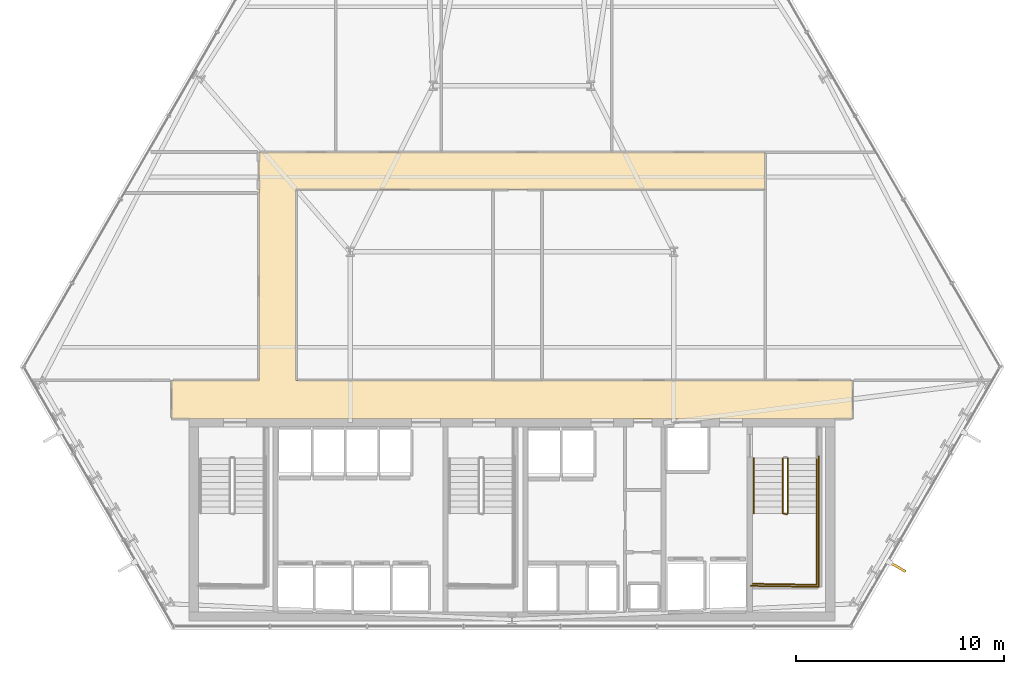
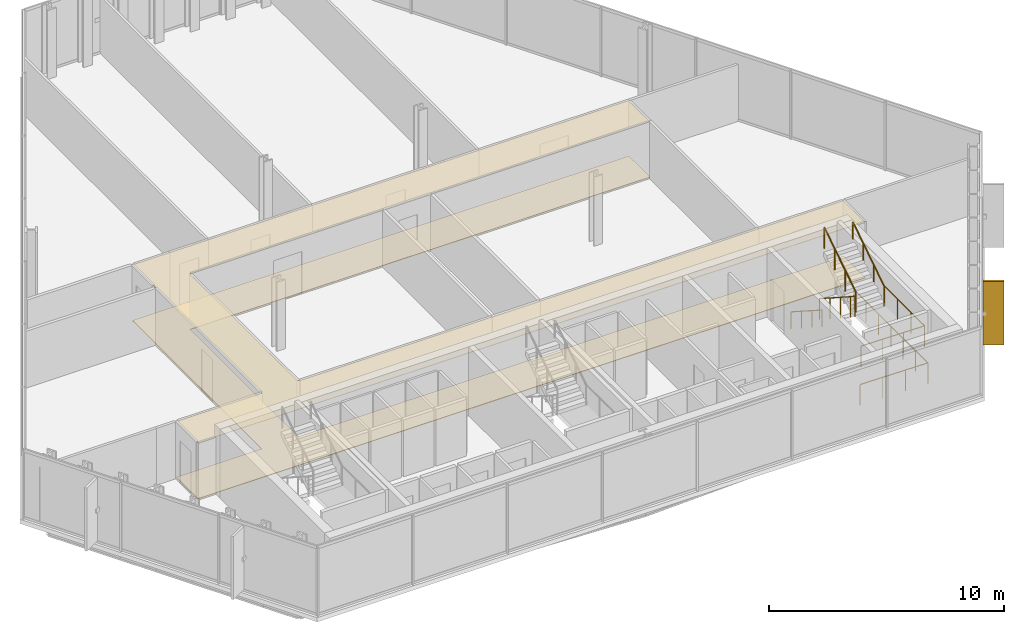
# One storey, part 31 of 33: 6 railings, 2 coverings, 1 shading device.
"""IFC4 building model written with IfcOpenShell, lengths in metres."""

from ifc_helpers import new_model, si_unit, direction, frame, origin, origin_2d, place, context, subcontext, project, spatial, polyline, rectangle, circle, outline, extrude, material, layer, layer_set, type_object, element, save


model = new_model("IFC4")

# Units and contexts
model_context = context("Model", 3, precision=1e-05, world=origin(), true_north=direction((0.0, 1.0)))
body_context = subcontext(model_context, "Body", "Model", "MODEL_VIEW")
ifc_project = project(units=[si_unit("LENGTHUNIT", "METRE"), si_unit("AREAUNIT", "SQUARE_METRE"), si_unit("VOLUMEUNIT", "CUBIC_METRE"), si_unit("PLANEANGLEUNIT", "RADIAN"), si_unit("MASSUNIT", "GRAM", prefix="KILO")], contexts=[model_context])

# Site, building, storey
site_placement = place(None, origin())
site = spatial("IfcSite", under=ifc_project, at=site_placement, CompositionType="ELEMENT")
building_placement = place(site_placement, origin())
building = spatial("IfcBuilding", under=site, at=building_placement, Name="Ndaravel Arena Tower", CompositionType="ELEMENT")
storey_placement = place(building_placement, frame((0.0, 0.0, 85.39990234375)))
storey = spatial("IfcBuildingStorey", under=building, at=storey_placement, Name="L19", CompositionType="ELEMENT", Elevation=85.39990234375)

# Coverings
ifc_material_1 = material(Name="Acoustic Ceiling Tile", Category="finish")
ifc_layer_1 = layer(ifc_material_1, 0.02490234375)
ifc_layer_set_1 = layer_set([ifc_layer_1], Name="Acoustic Ceiling Tile")
covering_type_1 = type_object("IfcCoveringType", Name="COV-CEIL-AC600", PredefinedType="CEILING", material=ifc_layer_set_1)
covering_1_placement = place(storey_placement, frame((0.0, 0.0, 2.920166015625)))
element("IfcCovering", 1, at=covering_1_placement, inside=storey, type_object=covering_type_1, Name="L19 Corridor Acoustic Ceiling", PredefinedType="CEILING", context=body_context, shape_type="SweptSolid", body=[
    extrude(outline(polyline([(58.39990234375, 17.0), (31.60009765625, 17.0), (31.60009765625, 26.199951171875), (54.199951171875, 26.199951171875), (54.199951171875, 28.0), (31.60009765625, 28.0), (29.800048828125, 28.0), (29.800048828125, 26.199951171875), (29.800048828125, 17.0), (25.60009765625, 17.0), (25.60009765625, 15.14990234375), (58.39990234375, 15.14990234375), (58.39990234375, 17.0)])), origin(), (0.0, 0.0, 1.0), 0.02490234375),
])
ifc_material_2 = material(Name="Terrazzo", Category="stone")
ifc_layer_2 = layer(ifc_material_2, 0.030029296875)
ifc_layer_set_2 = layer_set([ifc_layer_2], Name="Terrazzo")
covering_type_2 = type_object("IfcCoveringType", Name="COV-FLOOR-TERRAZZO", PredefinedType="FLOORING", material=ifc_layer_set_2)
covering_2_placement = place(storey_placement, origin())
element("IfcCovering", 2, at=covering_2_placement, inside=storey, type_object=covering_type_2, Name="L19 Corridor Terrazzo Flooring", PredefinedType="FLOORING", context=body_context, shape_type="SweptSolid", body=[
    extrude(outline(polyline([(58.39990234375, 17.0), (31.60009765625, 17.0), (31.60009765625, 26.199951171875), (54.199951171875, 26.199951171875), (54.199951171875, 28.0), (31.60009765625, 28.0), (29.800048828125, 28.0), (29.800048828125, 26.199951171875), (29.800048828125, 17.0), (25.60009765625, 17.0), (25.60009765625, 15.14990234375), (58.39990234375, 15.14990234375), (58.39990234375, 17.0)])), origin(), (0.0, 0.0, 1.0), 0.030029296875),
])

# Railings
ifc_material_3 = material(Name="Steel S355", Category="steel")
ifc_layer_3 = layer(ifc_material_3, 0.06005859375)
ifc_layer_set_3 = layer_set([ifc_layer_3], Name="Steel S355")
railing_type_1 = type_object("IfcRailingType", Name="RAIL-STAIR-GD1100", PredefinedType="GUARDRAIL", material=ifc_layer_set_3)
railing_1_placement = place(storey_placement, frame((55.050048828125, 13.25, 0.190185546875)))
element("IfcRailing", 3, at=railing_1_placement, inside=storey, type_object=railing_type_1, Name="L19 ST-3 stair guard 1", PredefinedType="GUARDRAIL", context=body_context, shape_type="SweptSolid", body=[
    extrude(circle(Radius=0.02392578125, at=origin_2d()), frame((0.0, 0.0, 1.076171875), z_axis=(0.0, -0.840723540582, 0.54146461409), x_axis=(1.0, 0.0, 0.0)), (0.0, 0.0, 1.0), 3.157958984375),
    extrude(circle(Radius=0.02392578125, at=origin_2d()), frame((0.0, -2.655029296875, 2.7861328125), z_axis=(0.966993988697, -0.254799187253, 0.0), x_axis=(0.254799187253, 0.966993988697, 0.0)), (0.0, 0.0, 1.0), 0.196533203125),
    extrude(circle(Radius=0.02099609375, at=origin_2d()), origin(), (0.0, 0.0, 1.0), 1.052001953125),
    extrude(circle(Radius=0.02099609375, at=origin_2d()), frame((0.0, -0.885009765625, 0.570068359375)), (0.0, 0.0, 1.0), 1.052001953125),
    extrude(circle(Radius=0.02099609375, at=origin_2d()), frame((0.0, -1.77001953125, 1.139892578125)), (0.0, 0.0, 1.0), 1.052001953125),
    extrude(circle(Radius=0.02099609375, at=origin_2d()), frame((0.0, -2.655029296875, 1.7099609375)), (0.0, 0.0, 1.0), 1.052001953125),
    extrude(circle(Radius=0.02099609375, at=origin_2d()), frame((0.18994140625, -2.705078125, 1.7099609375)), (0.0, 0.0, 1.0), 1.052001953125),
])
railing_2_placement = place(storey_placement, frame((56.68994140625, 10.594970703125, 1.900146484375)))
element("IfcRailing", 4, at=railing_2_placement, inside=storey, type_object=railing_type_1, Name="L19 ST-3 stair guard 2", PredefinedType="GUARDRAIL", context=body_context, shape_type="SweptSolid", body=[
    extrude(circle(Radius=0.02392578125, at=origin_2d()), frame((0.0, 0.0, 1.076171875), z_axis=(0.0, -1.0, 0.0), x_axis=(1.0, 0.0, 0.0)), (0.0, 0.0, 1.0), 3.445068359375),
    extrude(circle(Radius=0.02392578125, at=origin_2d()), frame((0.0, -3.445068359375, 1.076171875), z_axis=(-0.999868840623, 0.016195726322, 0.0), x_axis=(-0.016195726322, -0.999868840623, 0.0)), (0.0, 0.0, 1.0), 3.09033203125),
    extrude(circle(Radius=0.02099609375, at=origin_2d()), origin(), (0.0, 0.0, 1.0), 1.052001953125),
    extrude(circle(Radius=0.02099609375, at=origin_2d()), frame((0.0, -1.1484375, 0.0)), (0.0, 0.0, 1.0), 1.052001953125),
    extrude(circle(Radius=0.02099609375, at=origin_2d()), frame((0.0, -2.296630859375, 0.0)), (0.0, 0.0, 1.0), 1.052001953125),
    extrude(circle(Radius=0.02099609375, at=origin_2d()), frame((0.0, -3.445068359375, 0.0)), (0.0, 0.0, 1.0), 1.052001953125),
    extrude(circle(Radius=0.02099609375, at=origin_2d()), frame((-1.030029296875, -3.428466796875, 0.0)), (0.0, 0.0, 1.0), 1.052001953125),
    extrude(circle(Radius=0.02099609375, at=origin_2d()), frame((-2.059814453125, -3.41162109375, 0.0)), (0.0, 0.0, 1.0), 1.052001953125),
    extrude(circle(Radius=0.02099609375, at=origin_2d()), frame((-3.08984375, -3.39501953125, 0.0)), (0.0, 0.0, 1.0), 1.052001953125),
])
railing_3_placement = place(storey_placement, frame((55.2900390625, 10.594970703125, 2.090087890625)))
element("IfcRailing", 5, at=railing_3_placement, inside=storey, type_object=railing_type_1, Name="L19 ST-3 stair guard 3", PredefinedType="GUARDRAIL", context=body_context, shape_type="SweptSolid", body=[
    extrude(circle(Radius=0.02392578125, at=origin_2d()), frame((0.0, 0.0, 1.076171875), z_axis=(0.0, 0.840723540582, 0.54146461409), x_axis=(-1.0, 0.0, 0.0)), (0.0, 0.0, 1.0), 3.157958984375),
    extrude(circle(Radius=0.02099609375, at=origin_2d()), origin(), (0.0, 0.0, 1.0), 1.052001953125),
    extrude(circle(Radius=0.02099609375, at=origin_2d()), frame((0.0, 0.885009765625, 0.570068359375)), (0.0, 0.0, 1.0), 1.052001953125),
    extrude(circle(Radius=0.02099609375, at=origin_2d()), frame((0.0, 1.77001953125, 1.139892578125)), (0.0, 0.0, 1.0), 1.052001953125),
    extrude(circle(Radius=0.02099609375, at=origin_2d()), frame((0.0, 2.655029296875, 1.7099609375)), (0.0, 0.0, 1.0), 1.052001953125),
])
railing_4_placement = place(storey_placement, frame((56.7900390625, 13.35009765625, 0.0)))
element("IfcRailing", 6, at=railing_4_placement, inside=storey, type_object=railing_type_1, Name="L19 ST-3 stair guard 6", PredefinedType="GUARDRAIL", context=body_context, shape_type="SweptSolid", body=[
    extrude(circle(Radius=0.02392578125, at=origin_2d()), frame((0.0, 0.0, 1.076171875), z_axis=(0.0, -1.0, 0.0), x_axis=(1.0, 0.0, 0.0)), (0.0, 0.0, 1.0), 6.300048828125),
    extrude(circle(Radius=0.02392578125, at=origin_2d()), frame((0.0, -6.300048828125, 1.076171875), z_axis=(-0.99988431412, 0.015210469308, 0.0), x_axis=(-0.015210469308, -0.99988431412, 0.0)), (0.0, 0.0, 1.0), 3.29052734375),
    extrude(circle(Radius=0.02099609375, at=origin_2d()), origin(), (0.0, 0.0, 1.0), 1.052001953125),
    extrude(circle(Radius=0.02099609375, at=origin_2d()), frame((0.0, -1.050048828125, 0.0)), (0.0, 0.0, 1.0), 1.052001953125),
    extrude(circle(Radius=0.02099609375, at=origin_2d()), frame((0.0, -2.10009765625, 0.0)), (0.0, 0.0, 1.0), 1.052001953125),
    extrude(circle(Radius=0.02099609375, at=origin_2d()), frame((0.0, -3.14990234375, 0.0)), (0.0, 0.0, 1.0), 1.052001953125),
    extrude(circle(Radius=0.02099609375, at=origin_2d()), frame((0.0, -4.199951171875, 0.0)), (0.0, 0.0, 1.0), 1.052001953125),
    extrude(circle(Radius=0.02099609375, at=origin_2d()), frame((0.0, -5.25, 0.0)), (0.0, 0.0, 1.0), 1.052001953125),
    extrude(circle(Radius=0.02099609375, at=origin_2d()), frame((0.0, -6.300048828125, 0.0)), (0.0, 0.0, 1.0), 1.052001953125),
    extrude(circle(Radius=0.02099609375, at=origin_2d()), frame((-1.0966796875, -6.283447265625, 0.0)), (0.0, 0.0, 1.0), 1.052001953125),
    extrude(circle(Radius=0.02099609375, at=origin_2d()), frame((-2.193359375, -6.2666015625, 0.0)), (0.0, 0.0, 1.0), 1.052001953125),
    extrude(circle(Radius=0.02099609375, at=origin_2d()), frame((-3.2900390625, -6.25, 0.0)), (0.0, 0.0, 1.0), 1.052001953125),
])
ifc_material_4 = material(Name="Steel S355", Category="steel")
ifc_layer_4 = layer(ifc_material_4, 0.050048828125)
ifc_layer_set_4 = layer_set([ifc_layer_4], Name="Steel S355")
railing_type_2 = type_object("IfcRailingType", Name="RAIL-STAIR-HR920", PredefinedType="HANDRAIL", material=ifc_layer_set_4)
railing_5_placement = place(storey_placement, frame((53.64990234375, 13.25, 0.190185546875)))
element("IfcRailing", 7, at=railing_5_placement, inside=storey, type_object=railing_type_2, Name="L19 ST-3 stair handrail 1", PredefinedType="HANDRAIL", context=body_context, shape_type="SweptSolid", body=[
    extrude(circle(Radius=0.02392578125, at=origin_2d()), frame((0.0, 0.0, 0.8759765625), z_axis=(0.0, -0.840723540582, 0.54146461409), x_axis=(1.0, 0.0, 0.0)), (0.0, 0.0, 1.0), 3.157958984375),
    extrude(circle(Radius=0.02099609375, at=origin_2d()), origin(), (0.0, 0.0, 1.0), 0.851806640625),
    extrude(circle(Radius=0.02099609375, at=origin_2d()), frame((0.0, -0.885009765625, 0.570068359375)), (0.0, 0.0, 1.0), 0.851806640625),
    extrude(circle(Radius=0.02099609375, at=origin_2d()), frame((0.0, -1.77001953125, 1.139892578125)), (0.0, 0.0, 1.0), 0.851806640625),
    extrude(circle(Radius=0.02099609375, at=origin_2d()), frame((0.0, -2.655029296875, 1.7099609375)), (0.0, 0.0, 1.0), 0.851806640625),
])
railing_6_placement = place(storey_placement, frame((56.68994140625, 10.594970703125, 2.090087890625)))
element("IfcRailing", 8, at=railing_6_placement, inside=storey, type_object=railing_type_2, Name="L19 ST-3 stair handrail 2", PredefinedType="HANDRAIL", context=body_context, shape_type="SweptSolid", body=[
    extrude(circle(Radius=0.02392578125, at=origin_2d()), frame((0.0, 0.0, 0.8759765625), z_axis=(0.0, 0.840723540582, 0.54146461409), x_axis=(-1.0, 0.0, 0.0)), (0.0, 0.0, 1.0), 3.157958984375),
    extrude(circle(Radius=0.02099609375, at=origin_2d()), origin(), (0.0, 0.0, 1.0), 0.851806640625),
    extrude(circle(Radius=0.02099609375, at=origin_2d()), frame((0.0, 0.885009765625, 0.570068359375)), (0.0, 0.0, 1.0), 0.851806640625),
    extrude(circle(Radius=0.02099609375, at=origin_2d()), frame((0.0, 1.77001953125, 1.139892578125)), (0.0, 0.0, 1.0), 0.851806640625),
    extrude(circle(Radius=0.02099609375, at=origin_2d()), frame((0.0, 2.655029296875, 1.7099609375)), (0.0, 0.0, 1.0), 0.851806640625),
])

# Shading device
ifc_material_5 = material(Name="Masonry", Category="masonry")
shading_device_type = type_object("IfcShadingDeviceType", Name="SHD-MAZERAS-FIN", PredefinedType="SHUTTER", material=ifc_material_5)
shading_device_placement = place(storey_placement, frame((60.57373046875, 8.014892578125, 0.14990234375), z_axis=(0.0, 0.0, 1.0), x_axis=(0.866025403784, -0.5, 0.0)))
element("IfcShadingDevice", 9, at=shading_device_placement, inside=storey, type_object=shading_device_type, Name="L19 Mazeras Stone Solar Fin E2.1", PredefinedType="SHUTTER", context=body_context, shape_type="SweptSolid", body=[
    extrude(rectangle(XDim=0.89990234375, YDim=0.1201171875, at=origin_2d()), origin(), (0.0, 0.0, 1.0), 3.280029296875),
])

save(model, "model.ifc")
